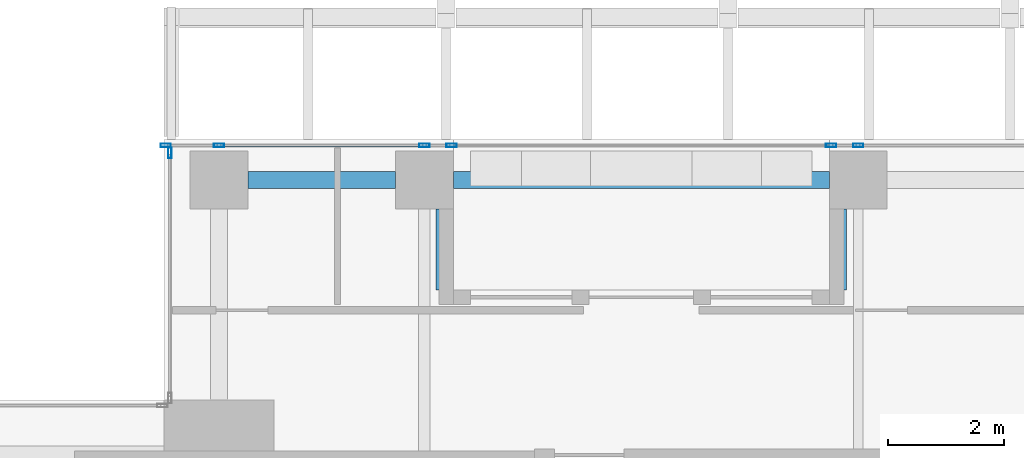
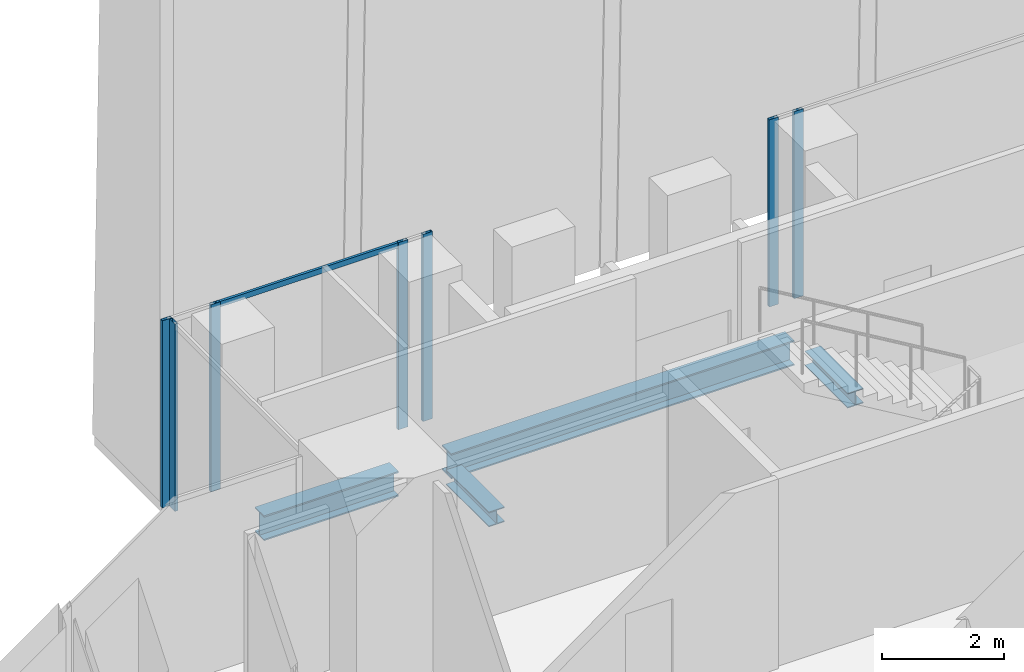
# One storey, part 21 of 40: 8 members, 4 beams, 3 elements without a shape of their own.
"""IFC4 building model written with IfcOpenShell, lengths in metres."""

from ifc_helpers import new_model, si_unit, direction, frame, origin, origin_2d, place, context, subcontext, project, spatial, hollow_rectangle, i_section, extrude, source, transform, mapped, material, material_profile, profile_set, type_object, element, aggregate, save


model = new_model("IFC4")

# Units and contexts
model_context = context("Model", 3, precision=1e-05, world=origin(), true_north=direction((0.0, 1.0)))
body_context = subcontext(model_context, "Body", "Model", "MODEL_VIEW")
ifc_project = project(units=[si_unit("LENGTHUNIT", "METRE"), si_unit("AREAUNIT", "SQUARE_METRE"), si_unit("VOLUMEUNIT", "CUBIC_METRE"), si_unit("PLANEANGLEUNIT", "RADIAN"), si_unit("MASSUNIT", "GRAM", prefix="KILO")], contexts=[model_context])

# Site, building, storey
site_placement = place(None, origin())
site = spatial("IfcSite", under=ifc_project, at=site_placement, CompositionType="ELEMENT")
building_placement = place(site_placement, origin())
building = spatial("IfcBuilding", under=site, at=building_placement, Name="Khomas Fold Tower", CompositionType="ELEMENT")
storey_placement = place(building_placement, frame((0.0, 0.0, 176.699951171875)))
storey = spatial("IfcBuildingStorey", under=building, at=storey_placement, Name="L38", CompositionType="ELEMENT", Elevation=176.699951171875)

# Beams
ifc_material_1 = material(Name="Steel S355", Category="steel")
ifc_material_profile_1 = material_profile(ifc_material_1, i_section(OverallWidth=0.300048828125, OverallDepth=0.5, WebThickness=0.014404296875, FlangeThickness=0.028076171875, at=origin_2d()), Name="HE 500 B")
ifc_profile_set_1 = profile_set([ifc_material_profile_1], Name="Steel S355")
beam_type_1 = type_object("IfcBeamType", Name="HE 500 B spandrel SB3", PredefinedType="SPANDREL", material=ifc_profile_set_1)
shared_shape_1 = source(origin(), body_context, "Body", "SweptSolid", [
    extrude(i_section(OverallWidth=0.300048828125, OverallDepth=0.5, WebThickness=0.014404296875, FlangeThickness=0.028076171875, at=origin_2d()), origin(), (0.0, 0.0, 1.0), 2.550048828125),
])
beam_1_placement = place(storey_placement, frame((8.949951171875, 50.300048828125, -0.5), z_axis=(1.0, 0.0, 0.0), x_axis=(0.0, 1.0, 0.0)))
element("IfcBeam", 1, at=beam_1_placement, inside=storey, type_object=beam_type_1, Name="SB3", PredefinedType="SPANDREL", context=body_context, shape_type="MappedRepresentation", body=[
    mapped(shared_shape_1, transform((0.0, 0.0, 0.0))),
])
shared_shape_2 = source(origin(), body_context, "Body", "SweptSolid", [
    extrude(i_section(OverallWidth=0.300048828125, OverallDepth=0.5, WebThickness=0.014404296875, FlangeThickness=0.028076171875, at=origin_2d()), origin(), (0.0, 0.0, 1.0), 6.5),
])
beam_2_placement = place(storey_placement, frame((12.5, 50.300048828125, -0.5), z_axis=(1.0, 0.0, 0.0), x_axis=(0.0, 1.0, 0.0)))
element("IfcBeam", 2, at=beam_2_placement, inside=storey, type_object=beam_type_1, Name="SB3", PredefinedType="SPANDREL", context=body_context, shape_type="MappedRepresentation", body=[
    mapped(shared_shape_2, transform((0.0, 0.0, 0.0))),
])
ifc_material_2 = material(Name="Steel S355", Category="steel")
ifc_material_profile_2 = material_profile(ifc_material_2, i_section(OverallWidth=0.300048828125, OverallDepth=0.300048828125, WebThickness=0.010986328125, FlangeThickness=0.01904296875, at=origin_2d()), Name="HE 300 B")
ifc_profile_set_2 = profile_set([ifc_material_profile_2], Name="Steel S355")
beam_type_2 = type_object("IfcBeamType", Name="HE 300 B beam BB1", PredefinedType="BEAM", material=ifc_profile_set_2)
shared_shape_3 = source(origin(), body_context, "Body", "SweptSolid", [
    extrude(i_section(OverallWidth=0.300048828125, OverallDepth=0.300048828125, WebThickness=0.010986328125, FlangeThickness=0.01904296875, at=origin_2d()), origin(), (0.0, 0.0, 1.0), 1.400146484375),
])
for number, where, z_axis, x_axis, name in (
    (3, (12.35009765625, 48.39990234375, -0.39990234375), (0.0, 1.0, 0.0), (-1.0, 0.0, 0.0), "BB1"),
    (4, (19.14990234375, 48.39990234375, -0.39990234375), (0.0, 1.0, 0.0), (-1.0, 0.0, 0.0), "BB1"),
):
    element("IfcBeam", number, at=place(storey_placement, frame(where, z_axis=z_axis, x_axis=x_axis)), inside=storey, type_object=beam_type_2, Name=name, PredefinedType="BEAM", context=body_context, shape_type="MappedRepresentation", body=[
        mapped(shared_shape_3, transform((0.0, 0.0, 0.0))),
    ])

# Curtain wall, members
ifc_material_3 = material(Name="Aluminium framed double glazing", Category="aluminium")
curtain_wall_type = type_object("IfcCurtainWallType", Name="SK-Unitised clear-glass wall, office floors CW2", PredefinedType="NOTDEFINED", material=ifc_material_3)
curtain_wall_1_placement = place(storey_placement, origin())
curtain_wall_1 = element("IfcCurtainWall", 5, at=curtain_wall_1_placement, inside=storey, type_object=curtain_wall_type, Name="CW2 run L38 15-0", PredefinedType="NOTDEFINED")
ifc_material_4 = material(Name="Aluminium", Category="aluminium")
ifc_material_profile_3 = material_profile(ifc_material_4, hollow_rectangle(XDim=0.06005859375, YDim=0.179931640625, WallThickness=0.00390625, at=origin_2d()), Name="SK-Unitised clear-glass wall, office floors mullion CW2-M")
ifc_profile_set_3 = profile_set([ifc_material_profile_3], Name="Aluminium")
member_type_1 = type_object("IfcMemberType", Name="SK-Unitised clear-glass wall, office floors mullion CW2-M", PredefinedType="MULLION", material=ifc_profile_set_3)
shared_shape_4 = source(origin(), body_context, "Body", "SweptSolid", [
    extrude(hollow_rectangle(XDim=0.06005859375, YDim=0.179931640625, WallThickness=0.00390625, at=origin_2d()), origin(), (0.0, 0.0, 1.0), 3.75),
])
member_1_placement = place(storey_placement, frame((19.5, 50.89990234375, 0.0), z_axis=(0.0, 0.0, 1.0), x_axis=(0.0, -1.0, 0.0)))
member_1 = element("IfcMember", 6, at=member_1_placement, type_object=member_type_1, Name="CW2 mullion 3", PredefinedType="MULLION", context=body_context, shape_type="MappedRepresentation", body=[
    mapped(shared_shape_4, transform((0.0, 0.0, 0.0))),
])
member_2_placement = place(storey_placement, frame((19.030029296875, 50.89990234375, 0.0), z_axis=(0.0, 0.0, 1.0), x_axis=(0.0, -1.0, 0.0)))
member_2 = element("IfcMember", 7, at=member_2_placement, type_object=member_type_1, Name="CW2 mullion 4", PredefinedType="MULLION", context=body_context, shape_type="MappedRepresentation", body=[
    mapped(shared_shape_4, transform((0.0, 0.0, 0.0))),
])
aggregate(curtain_wall_1, [member_1, member_2])

curtain_wall_2_placement = place(storey_placement, origin())
curtain_wall_2 = element("IfcCurtainWall", 8, at=curtain_wall_2_placement, inside=storey, type_object=curtain_wall_type, Name="CW2 run L38 15-1", PredefinedType="NOTDEFINED")
member_3_placement = place(storey_placement, frame((12.469970703125, 50.89990234375, 0.0), z_axis=(0.0, 0.0, 1.0), x_axis=(0.0, -1.0, 0.0)))
member_3 = element("IfcMember", 9, at=member_3_placement, type_object=member_type_1, Name="CW2 mullion 1", PredefinedType="MULLION", context=body_context, shape_type="MappedRepresentation", body=[
    mapped(shared_shape_4, transform((0.0, 0.0, 0.0))),
])
member_4_placement = place(storey_placement, frame((12.0, 50.89990234375, 0.0), z_axis=(0.0, 0.0, 1.0), x_axis=(0.0, -1.0, 0.0)))
member_4 = element("IfcMember", 10, at=member_4_placement, type_object=member_type_1, Name="CW2 mullion 2", PredefinedType="MULLION", context=body_context, shape_type="MappedRepresentation", body=[
    mapped(shared_shape_4, transform((0.0, 0.0, 0.0))),
])
member_5_placement = place(storey_placement, frame((8.449951171875, 50.89990234375, 0.0), z_axis=(0.0, 0.0, 1.0), x_axis=(0.0, -1.0, 0.0)))
member_5 = element("IfcMember", 11, at=member_5_placement, type_object=member_type_1, Name="CW2 mullion 3", PredefinedType="MULLION", context=body_context, shape_type="MappedRepresentation", body=[
    mapped(shared_shape_4, transform((0.0, 0.0, 0.0))),
])
member_6_placement = place(storey_placement, frame((7.530029296875, 50.89990234375, 0.0), z_axis=(0.0, 0.0, 1.0), x_axis=(0.0, -1.0, 0.0)))
member_6 = element("IfcMember", 12, at=member_6_placement, type_object=member_type_1, Name="CW2 mullion 4", PredefinedType="MULLION", context=body_context, shape_type="MappedRepresentation", body=[
    mapped(shared_shape_4, transform((0.0, 0.0, 0.0))),
])

# Curtain wall, member
curtain_wall_3_placement = place(storey_placement, origin())
curtain_wall_3 = element("IfcCurtainWall", 13, at=curtain_wall_3_placement, inside=storey, type_object=curtain_wall_type, Name="CW2 corner return L38 16", PredefinedType="NOTDEFINED")
member_7_placement = place(storey_placement, frame((7.60009765625, 50.77001953125, 0.0), z_axis=(0.0, 0.0, 1.0), x_axis=(1.0, 0.0, 0.0)))
member_7 = element("IfcMember", 14, at=member_7_placement, type_object=member_type_1, Name="CW2 mullion 1", PredefinedType="MULLION", context=body_context, shape_type="MappedRepresentation", body=[
    mapped(shared_shape_4, transform((0.0, 0.0, 0.0))),
])
aggregate(curtain_wall_3, [member_7])

# Member
ifc_material_5 = material(Name="Aluminium", Category="aluminium")
ifc_material_profile_4 = material_profile(ifc_material_5, hollow_rectangle(XDim=0.050048828125, YDim=0.110107421875, WallThickness=0.00390625, at=origin_2d()), Name="SK-Unitised clear-glass wall, office floors transom CW2-T")
ifc_profile_set_4 = profile_set([ifc_material_profile_4], Name="Aluminium")
member_type_2 = type_object("IfcMemberType", Name="SK-Unitised clear-glass wall, office floors transom CW2-T", PredefinedType="USERDEFINED", material=ifc_profile_set_4)
shared_shape_5 = source(origin(), body_context, "Body", "SweptSolid", [
    extrude(hollow_rectangle(XDim=0.050048828125, YDim=0.110107421875, WallThickness=0.00390625, at=origin_2d()), origin(), (0.0, 0.0, 1.0), 3.489990234375),
])
member_8_placement = place(storey_placement, frame((11.969970703125, 50.89990234375, 3.695068359375), z_axis=(-1.0, 0.0, 0.0), x_axis=(0.0, -1.0, 0.0)))
member_8 = element("IfcMember", 15, at=member_8_placement, type_object=member_type_2, Name="CW2 transom 2", ObjectType="TRANSOM", PredefinedType="USERDEFINED", context=body_context, shape_type="MappedRepresentation", body=[
    mapped(shared_shape_5, transform((0.0, 0.0, 0.0))),
])

aggregate(curtain_wall_2, [member_3, member_4, member_5, member_6, member_8])

save(model, "model.ifc")
